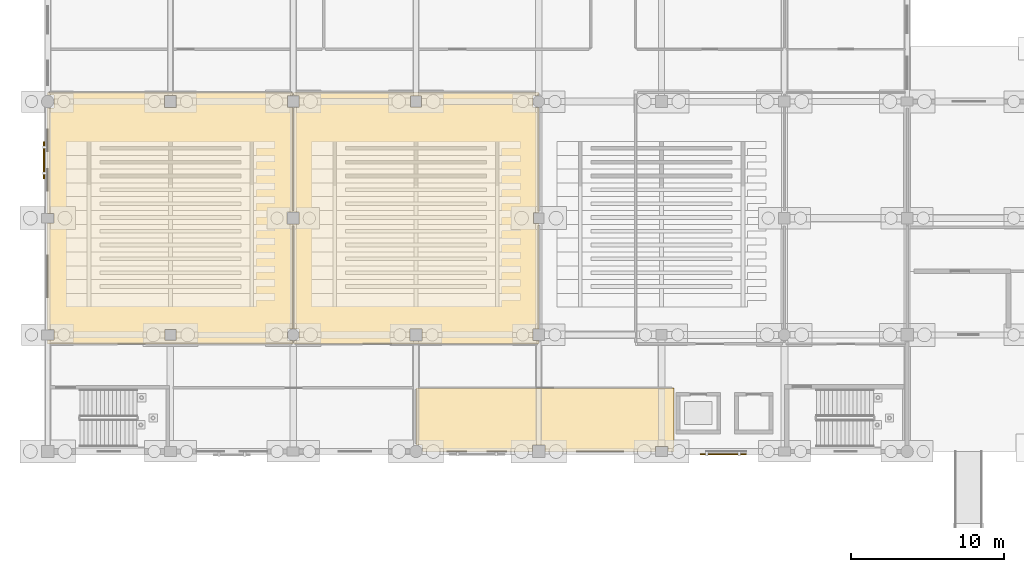
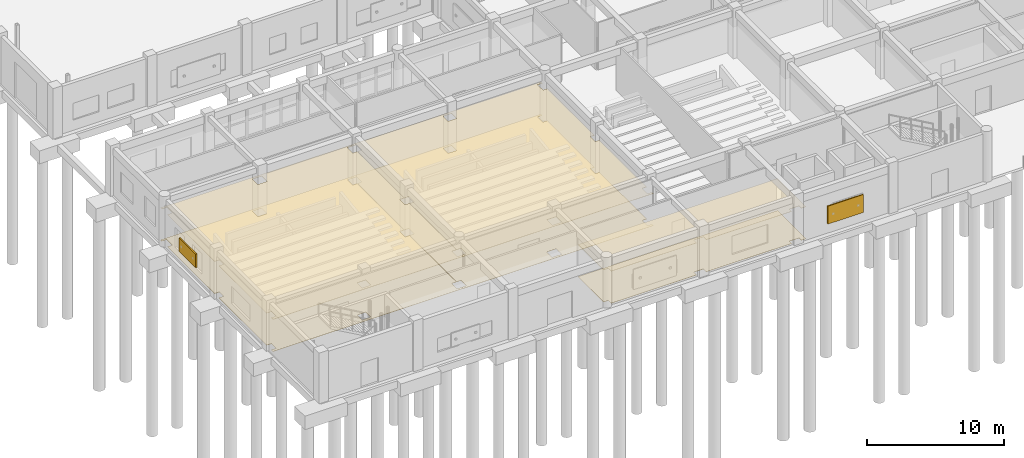
# One storey, part 151 of 166: 6 coverings, 2 shading devices.
"""IFC4 building model written with IfcOpenShell, lengths in metres."""

import ifcopenshell
import ifcopenshell.guid

model = None  # the IFC model being written
_history = None  # IfcOwnerHistory: only IFC2X3 demands one
_inside = {}  # id of a spatial element -> (the spatial element, [elements in it])
_under = {}  # id of a project, library or spatial element -> (it, [spatial elements below it])
_declared = {}  # id of a project -> (the project, [libraries it declares])
_typed = {}  # id of a type object -> (the type object, [elements of that type])
_made_of = {}  # id of a material, layer set ... -> (it, [elements and type objects made of it])


def new_model(schema):
    """Start an empty IFC model of exactly this schema.

    Asked for "IFC4X3", IfcOpenShell would pick the latest addendum, in which some entities
    have other attributes; the version numbers below select the first issue.
    IFC2X3 requires an IfcOwnerHistory on every rooted entity: one is made here for all.
    """
    global model, _history
    if schema == "IFC4X3":
        model = ifcopenshell.file(schema_version=(4, 3, 0, 0))
    else:
        model = ifcopenshell.file(schema=schema)
    _inside.clear()
    _under.clear()
    _declared.clear()
    _typed.clear()
    _made_of.clear()
    _history = None
    if model.schema == "IFC2X3":
        org = make("IfcOrganization", Name="unknown")
        user = make(
            "IfcPersonAndOrganization",
            ThePerson=make("IfcPerson", FamilyName="unknown"),
            TheOrganization=org,
        )
        app = make(
            "IfcApplication",
            ApplicationDeveloper=org,
            Version="unknown",
            ApplicationFullName="unknown",
            ApplicationIdentifier="unknown",
        )
        _history = make(
            "IfcOwnerHistory",
            OwningUser=user,
            OwningApplication=app,
            ChangeAction="ADDED",
            CreationDate=0,
        )
    return model


def make(cls, **values):
    """One entity of the class cls with the attributes given. An attribute that is None is left unset."""
    return model.create_entity(
        cls, **{name: value for name, value in values.items() if value is not None}
    )


def rooted(cls, **values):
    """An entity with a GlobalId (a new one), such as an element, a storey or a relation."""
    return make(cls, GlobalId=ifcopenshell.guid.new(), OwnerHistory=_history, **values)


def si_unit(unit_type, name, prefix=None):
    """IfcSIUnit, for example si_unit("LENGTHUNIT", "METRE", prefix="MILLI")."""
    return make("IfcSIUnit", UnitType=unit_type, Prefix=prefix, Name=name)


def assignment(units):
    """IfcUnitAssignment: the units of a project."""
    return None if units is None else make("IfcUnitAssignment", Units=units)


def point(xyz):
    """IfcCartesianPoint."""
    return None if xyz is None else make("IfcCartesianPoint", Coordinates=xyz)


def direction(xyz):
    """IfcDirection."""
    return None if xyz is None else make("IfcDirection", DirectionRatios=xyz)


def frame(location, z_axis=None, x_axis=None):
    """IfcAxis2Placement3D, a coordinate frame: its origin and axes. An axis left out is left unset."""
    return make(
        "IfcAxis2Placement3D",
        Location=point(location),
        Axis=direction(z_axis),
        RefDirection=direction(x_axis),
    )


def frame_2d(location, x_axis=None):
    """IfcAxis2Placement2D, a coordinate frame in the plane: its origin and x axis."""
    return make(
        "IfcAxis2Placement2D", Location=point(location), RefDirection=direction(x_axis)
    )


def origin():
    """The frame at (0, 0, 0) with its axes left unset."""
    return frame((0.0, 0.0, 0.0))


def origin_2d():
    """The frame at (0, 0) in the plane with its x axis left unset."""
    return frame_2d((0.0, 0.0))


def place(relative_to, where):
    """IfcLocalPlacement: puts the frame where relative to a parent placement (None: the world)."""
    return make(
        "IfcLocalPlacement", PlacementRelTo=relative_to, RelativePlacement=where
    )


def context(
    kind, dimensions, precision=None, world=None, true_north=None, identifier=None
):
    """IfcGeometricRepresentationContext, for example the 3D "Model" context."""
    return make(
        "IfcGeometricRepresentationContext",
        ContextIdentifier=identifier,
        ContextType=kind,
        CoordinateSpaceDimension=dimensions,
        Precision=precision,
        WorldCoordinateSystem=world,
        TrueNorth=true_north,
    )


def subcontext(parent, identifier, kind, view, scale=None):
    """IfcGeometricRepresentationSubContext, for example "Body" below "Model"."""
    return make(
        "IfcGeometricRepresentationSubContext",
        ContextIdentifier=identifier,
        ContextType=kind,
        ParentContext=parent,
        TargetScale=scale,
        TargetView=view,
    )


def project(units=None, contexts=None):
    """IfcProject with its units and contexts."""
    return rooted(
        "IfcProject",
        Name="project",
        RepresentationContexts=contexts,
        UnitsInContext=assignment(units),
    )


def spatial(cls, under=None, at=None, **own):
    """A site, building, storey or space (cls), placed at a placement, below another one or the project."""
    s = rooted(cls, ObjectPlacement=at, **own)
    if under is not None:
        _under.setdefault(under.id(), (under, []))[1].append(s)
    return s


def polyline(points):
    """IfcPolyline through the points."""
    return make("IfcPolyline", Points=[point(p) for p in points])


def profile(cls, at=None, kind="AREA", **sizes):
    """A parametric profile (cls). Its sizes go by their IFC names, for example OverallWidth=200.0."""
    return make(cls, ProfileType=kind, Position=at, **sizes)


def rectangle(**sizes):
    """IfcRectangleProfileDef."""
    return profile("IfcRectangleProfileDef", **sizes)


def outline(outer, holes=None, kind="AREA"):
    """IfcArbitraryClosedProfileDef: a profile drawn as a closed curve; with holes, ...WithVoids."""
    if holes is None:
        return make("IfcArbitraryClosedProfileDef", ProfileType=kind, OuterCurve=outer)
    return make(
        "IfcArbitraryProfileDefWithVoids",
        ProfileType=kind,
        OuterCurve=outer,
        InnerCurves=holes,
    )


def extrude(swept, where, along, depth):
    """IfcExtrudedAreaSolid: the profile swept, set in the frame where, extruded along a direction by depth."""
    return make(
        "IfcExtrudedAreaSolid",
        SweptArea=swept,
        Position=where,
        ExtrudedDirection=direction(along),
        Depth=depth,
    )


def shape(context_of_items, identifier, shape_type, items):
    """IfcShapeRepresentation: the items that make up one representation, for example the "Body"."""
    return make(
        "IfcShapeRepresentation",
        ContextOfItems=context_of_items,
        RepresentationIdentifier=identifier,
        RepresentationType=shape_type,
        Items=items,
    )


def material(Name=None, Category=None):
    """IfcMaterial."""
    return make("IfcMaterial", Name=Name, Category=Category)


def layer(
    of_material, thickness, ventilated=None, Name=None, Category=None, Priority=None
):
    """IfcMaterialLayer: one layer of a wall or slab, of a material (None: an air gap)."""
    return make(
        "IfcMaterialLayer",
        Material=of_material,
        LayerThickness=thickness,
        IsVentilated=ventilated,
        Name=Name,
        Category=Category,
        Priority=Priority,
    )


def layer_set(layers, Name=None):
    """IfcMaterialLayerSet."""
    return make("IfcMaterialLayerSet", MaterialLayers=layers, LayerSetName=Name)


def made_of(thing, what):
    """Note that an element or type object is made of a material, layer set ...; save() writes the relation."""
    if what is not None:
        _made_of.setdefault(what.id(), (what, []))[1].append(thing)
    return thing


def type_object(cls, material=None, **own):
    """A type object (cls), such as IfcWallType, which elements share."""
    return made_of(rooted(cls, **own), material)


def element(
    cls,
    number,
    at=None,
    inside=None,
    cuts=None,
    type_object=None,
    material=None,
    context=None,
    identifier="Body",
    shape_type=None,
    held_by="IfcProductDefinitionShape",
    body=None,
    shapes=None,
    **own,
):
    """One element of the class cls, such as IfcWall. Its Tag is "e" and its number.

    at: its placement. inside: the storey or other place that contains it. cuts: it is an
    opening in that element (IfcRelVoidsElement). A single representation is given by context,
    identifier, shape_type and body (its items); several are given by shapes. held_by: the class
    of the entity that holds the representations. save() writes the other relations.
    """
    e = rooted(cls, Tag="e%d" % number, ObjectPlacement=at, **own)
    if body is not None:
        shapes = [shape(context, identifier, shape_type, body)]
    if shapes is not None:
        e.Representation = make(held_by, Representations=shapes)
    if inside is not None:
        _inside.setdefault(inside.id(), (inside, []))[1].append(e)
    if cuts is not None:
        rooted(
            "IfcRelVoidsElement", RelatingBuildingElement=cuts, RelatedOpeningElement=e
        )
    if type_object is not None:
        _typed.setdefault(type_object.id(), (type_object, []))[1].append(e)
    return made_of(e, material)


def aggregate(whole, parts):
    """IfcRelAggregates: a whole, such as a stair, and the parts it consists of."""
    return rooted("IfcRelAggregates", RelatingObject=whole, RelatedObjects=parts)


def save(model, path):
    """Write the relations noted so far, then the file.

    IfcRelAggregates (storeys below a building ...), IfcRelContainedInSpatialStructure (elements
    in a storey), IfcRelDefinesByType, IfcRelAssociatesMaterial and IfcRelDeclares: one each for
    every whole, place, type object, material and project.
    """
    for whole, parts in _under.values():
        aggregate(whole, parts)
    for where, things in _inside.values():
        rooted(
            "IfcRelContainedInSpatialStructure",
            RelatedElements=things,
            RelatingStructure=where,
        )
    for kind, things in _typed.values():
        rooted("IfcRelDefinesByType", RelatedObjects=things, RelatingType=kind)
    for what, things in _made_of.values():
        rooted("IfcRelAssociatesMaterial", RelatedObjects=things, RelatingMaterial=what)
    for by, libraries in _declared.values():
        rooted("IfcRelDeclares", RelatingContext=by, RelatedDefinitions=libraries)
    model.write(path)


model = new_model("IFC4")

# Units and contexts
model_context = context("Model", 3, precision=1e-05, world=origin(), true_north=direction((0.0, 1.0)))
body_context = subcontext(model_context, "Body", "Model", "MODEL_VIEW")
ifc_project = project(units=[si_unit("LENGTHUNIT", "METRE"), si_unit("AREAUNIT", "SQUARE_METRE"), si_unit("VOLUMEUNIT", "CUBIC_METRE"), si_unit("PLANEANGLEUNIT", "RADIAN"), si_unit("MASSUNIT", "GRAM", prefix="KILO")], contexts=[model_context])

# Site, building, storey
site_placement = place(None, origin())
site = spatial("IfcSite", under=ifc_project, at=site_placement, CompositionType="ELEMENT")
building_placement = place(site_placement, origin())
building = spatial("IfcBuilding", under=site, at=building_placement, Name="Kharva Crest Polytechnic", CompositionType="ELEMENT")
storey_placement = place(building_placement, origin())
storey = spatial("IfcBuildingStorey", under=building, at=storey_placement, Name="L00", CompositionType="ELEMENT", Elevation=0.0)

# Coverings
ifc_material_1 = material(Name="Acoustic mineral board")
ifc_layer_1 = layer(ifc_material_1, 0.02490234375, Name="Acoustic mineral board")
ifc_layer_set_1 = layer_set([ifc_layer_1], Name="Acoustic mineral board")
covering_type_1 = type_object("IfcCoveringType", Name="COV-CLG-ACOUSTIC", PredefinedType="CEILING", material=ifc_layer_set_1)
covering_1_placement = place(storey_placement, frame((0.0, 0.0, 2.85009765625)))
element("IfcCovering", 1, at=covering_1_placement, inside=storey, type_object=covering_type_1, Name="L00 Classroom L00-B Acoustic Ceiling", PredefinedType="CEILING", context=body_context, shape_type="SweptSolid", body=[
    extrude(outline(polyline([(40.800048828125, 0.0), (40.409912109375, 0.0), (40.409912109375, 0.3349609375), (39.590087890625, 0.3349609375), (39.590087890625, 0.0), (32.409912109375, 0.0), (32.409912109375, 0.409912109375), (31.590087890625, 0.409912109375), (31.590087890625, 0.0), (24.409912109375, 0.0), (24.409912109375, 0.409912109375), (24.010009765625, 0.409912109375), (24.010009765625, 4.139892578125), (40.800048828125, 4.139892578125), (40.800048828125, 0.0)])), origin(), (0.0, 0.0, 1.0), 0.02490234375),
])
covering_2_placement = place(storey_placement, frame((0.0, 0.0, 2.85009765625)))
element("IfcCovering", 2, at=covering_2_placement, inside=storey, type_object=covering_type_1, Name="L00 Lecture Theatre 1 Acoustic Ceiling", PredefinedType="CEILING", context=body_context, shape_type="SweptSolid", body=[
    extrude(outline(polyline([(15.6201171875, 23.179931640625), (15.6201171875, 22.419921875), (16.0, 22.419921875), (16.0, 15.590087890625), (15.610107421875, 15.590087890625), (15.610107421875, 14.81005859375), (16.0, 14.81005859375), (16.0, 7.985107421875), (15.614990234375, 7.985107421875), (15.614990234375, 7.215087890625), (16.0, 7.215087890625), (16.0, 7.010009765625), (0.0, 7.010009765625), (0.0, 7.264892578125), (0.409912109375, 7.264892578125), (0.409912109375, 7.93505859375), (0.0, 7.93505859375), (0.0, 14.889892578125), (0.39990234375, 14.889892578125), (0.39990234375, 15.510009765625), (0.0, 15.510009765625), (0.0, 22.389892578125), (0.409912109375, 22.389892578125), (0.409912109375, 23.2099609375), (0.0, 23.2099609375), (0.0, 23.389892578125), (16.0, 23.389892578125), (16.0, 23.179931640625), (15.6201171875, 23.179931640625)]), holes=[polyline([(7.639892578125, 7.9599609375), (7.639892578125, 7.239990234375), (8.360107421875, 7.239990234375), (8.360107421875, 7.9599609375), (7.639892578125, 7.9599609375)]), polyline([(7.610107421875, 23.18994140625), (7.610107421875, 22.409912109375), (8.389892578125, 22.409912109375), (8.389892578125, 23.18994140625), (7.610107421875, 23.18994140625)])]), origin(), (0.0, 0.0, 1.0), 0.02490234375),
])
covering_3_placement = place(storey_placement, frame((0.0, 0.0, 2.85009765625)))
element("IfcCovering", 3, at=covering_3_placement, inside=storey, type_object=covering_type_1, Name="L00 Lecture Theatre 2 Acoustic Ceiling", PredefinedType="CEILING", context=body_context, shape_type="SweptSolid", body=[
    extrude(outline(polyline([(16.385009765625, 7.215087890625), (16.385009765625, 7.985107421875), (16.010009765625, 7.985107421875), (16.010009765625, 14.81005859375), (16.389892578125, 14.81005859375), (16.389892578125, 15.590087890625), (16.010009765625, 15.590087890625), (16.010009765625, 22.419921875), (16.3798828125, 22.419921875), (16.3798828125, 23.179931640625), (16.010009765625, 23.179931640625), (16.010009765625, 23.389892578125), (32.0, 23.389892578125), (32.0, 23.18505859375), (31.614990234375, 23.18505859375), (31.614990234375, 22.4150390625), (32.0, 22.4150390625), (32.0, 15.56005859375), (31.639892578125, 15.56005859375), (31.639892578125, 14.840087890625), (32.0, 14.840087890625), (32.0, 7.97998046875), (31.6201171875, 7.97998046875), (31.6201171875, 7.219970703125), (32.0, 7.219970703125), (32.0, 7.010009765625), (16.010009765625, 7.010009765625), (16.010009765625, 7.215087890625), (16.385009765625, 7.215087890625)]), holes=[polyline([(23.610107421875, 7.989990234375), (23.610107421875, 7.2099609375), (24.389892578125, 7.2099609375), (24.389892578125, 7.989990234375), (23.610107421875, 7.989990234375)]), polyline([(23.639892578125, 23.159912109375), (23.639892578125, 22.43994140625), (24.360107421875, 22.43994140625), (24.360107421875, 23.159912109375), (23.639892578125, 23.159912109375)])]), origin(), (0.0, 0.0, 1.0), 0.02490234375),
])
ifc_material_2 = material(Name="Terrazzo tile")
ifc_layer_2 = layer(ifc_material_2, 0.02001953125, Name="Terrazzo tile")
ifc_layer_set_2 = layer_set([ifc_layer_2], Name="Terrazzo tile")
covering_type_2 = type_object("IfcCoveringType", Name="COV-FLR-TERRAZZO", PredefinedType="FLOORING", material=ifc_layer_set_2)
covering_4_placement = place(storey_placement, origin())
element("IfcCovering", 4, at=covering_4_placement, inside=storey, type_object=covering_type_2, Name="L00 Classroom L00-B Terrazzo Flooring", PredefinedType="FLOORING", context=body_context, shape_type="SweptSolid", body=[
    extrude(outline(polyline([(40.800048828125, 0.0), (40.409912109375, 0.0), (40.409912109375, 0.3349609375), (39.590087890625, 0.3349609375), (39.590087890625, 0.0), (32.409912109375, 0.0), (32.409912109375, 0.409912109375), (31.590087890625, 0.409912109375), (31.590087890625, 0.0), (24.409912109375, 0.0), (24.409912109375, 0.409912109375), (24.010009765625, 0.409912109375), (24.010009765625, 4.139892578125), (40.800048828125, 4.139892578125), (40.800048828125, 0.0)])), origin(), (0.0, 0.0, 1.0), 0.02001953125),
])
covering_5_placement = place(storey_placement, origin())
element("IfcCovering", 5, at=covering_5_placement, inside=storey, type_object=covering_type_2, Name="L00 Lecture Theatre 1 Terrazzo Flooring", PredefinedType="FLOORING", context=body_context, shape_type="SweptSolid", body=[
    extrude(outline(polyline([(15.6201171875, 23.179931640625), (15.6201171875, 22.419921875), (16.0, 22.419921875), (16.0, 15.590087890625), (15.610107421875, 15.590087890625), (15.610107421875, 14.81005859375), (16.0, 14.81005859375), (16.0, 7.985107421875), (15.614990234375, 7.985107421875), (15.614990234375, 7.215087890625), (16.0, 7.215087890625), (16.0, 7.010009765625), (0.0, 7.010009765625), (0.0, 7.264892578125), (0.409912109375, 7.264892578125), (0.409912109375, 7.93505859375), (0.0, 7.93505859375), (0.0, 14.889892578125), (0.39990234375, 14.889892578125), (0.39990234375, 15.510009765625), (0.0, 15.510009765625), (0.0, 22.389892578125), (0.409912109375, 22.389892578125), (0.409912109375, 23.2099609375), (0.0, 23.2099609375), (0.0, 23.389892578125), (16.0, 23.389892578125), (16.0, 23.179931640625), (15.6201171875, 23.179931640625)]), holes=[polyline([(7.639892578125, 7.9599609375), (7.639892578125, 7.239990234375), (8.360107421875, 7.239990234375), (8.360107421875, 7.9599609375), (7.639892578125, 7.9599609375)]), polyline([(7.610107421875, 23.18994140625), (7.610107421875, 22.409912109375), (8.389892578125, 22.409912109375), (8.389892578125, 23.18994140625), (7.610107421875, 23.18994140625)])]), origin(), (0.0, 0.0, 1.0), 0.02001953125),
])
covering_6_placement = place(storey_placement, origin())
element("IfcCovering", 6, at=covering_6_placement, inside=storey, type_object=covering_type_2, Name="L00 Lecture Theatre 2 Terrazzo Flooring", PredefinedType="FLOORING", context=body_context, shape_type="SweptSolid", body=[
    extrude(outline(polyline([(16.385009765625, 7.215087890625), (16.385009765625, 7.985107421875), (16.010009765625, 7.985107421875), (16.010009765625, 14.81005859375), (16.389892578125, 14.81005859375), (16.389892578125, 15.590087890625), (16.010009765625, 15.590087890625), (16.010009765625, 22.419921875), (16.3798828125, 22.419921875), (16.3798828125, 23.179931640625), (16.010009765625, 23.179931640625), (16.010009765625, 23.389892578125), (32.0, 23.389892578125), (32.0, 23.18505859375), (31.614990234375, 23.18505859375), (31.614990234375, 22.4150390625), (32.0, 22.4150390625), (32.0, 15.56005859375), (31.639892578125, 15.56005859375), (31.639892578125, 14.840087890625), (32.0, 14.840087890625), (32.0, 7.97998046875), (31.6201171875, 7.97998046875), (31.6201171875, 7.219970703125), (32.0, 7.219970703125), (32.0, 7.010009765625), (16.010009765625, 7.010009765625), (16.010009765625, 7.215087890625), (16.385009765625, 7.215087890625)]), holes=[polyline([(23.610107421875, 7.989990234375), (23.610107421875, 7.2099609375), (24.389892578125, 7.2099609375), (24.389892578125, 7.989990234375), (23.610107421875, 7.989990234375)]), polyline([(23.639892578125, 23.159912109375), (23.639892578125, 22.43994140625), (24.360107421875, 22.43994140625), (24.360107421875, 23.159912109375), (23.639892578125, 23.159912109375)])]), origin(), (0.0, 0.0, 1.0), 0.02001953125),
])

# Shading devices
ifc_material_3 = material(Name="Perforated terracotta", Category="masonry")
shading_device_type_1 = type_object("IfcShadingDeviceType", Name="SHD-JAALI-3000X1600", PredefinedType="USERDEFINED", material=ifc_material_3)
shading_device_1_placement = place(storey_placement, frame((44.0048828125, -0.18310546875, 0.849853515625), z_axis=(0.0, 0.0, 1.0), x_axis=(1.0, 0.0, 0.0)))
element("IfcShadingDevice", 7, at=shading_device_1_placement, inside=storey, type_object=shading_device_type_1, Name="L00 Terracotta Jaali Solar Screen 4", ObjectType="LOUVRE", PredefinedType="USERDEFINED", context=body_context, shape_type="SweptSolid", body=[
    extrude(rectangle(XDim=3.0, YDim=0.080078125, at=origin_2d()), origin(), (0.0, 0.0, 1.0), 1.60009765625),
])
shading_device_type_2 = type_object("IfcShadingDeviceType", Name="SHD-LOUVRE-2400X1200", PredefinedType="USERDEFINED", material=ifc_material_3)
shading_device_2_placement = place(storey_placement, frame((-0.238037109375, 18.9794921875, 1.0498046875), z_axis=(0.0, 0.0, 1.0), x_axis=(0.0, 1.0, 0.0)))
element("IfcShadingDevice", 8, at=shading_device_2_placement, inside=storey, type_object=shading_device_type_2, Name="L00 Terracotta Jaali Solar Screen 8", ObjectType="LOUVRE", PredefinedType="USERDEFINED", context=body_context, shape_type="SweptSolid", body=[
    extrude(rectangle(XDim=2.39990234375, YDim=0.10009765625, at=origin_2d()), origin(), (0.0, 0.0, 1.0), 1.199951171875),
])

save(model, "model.ifc")
